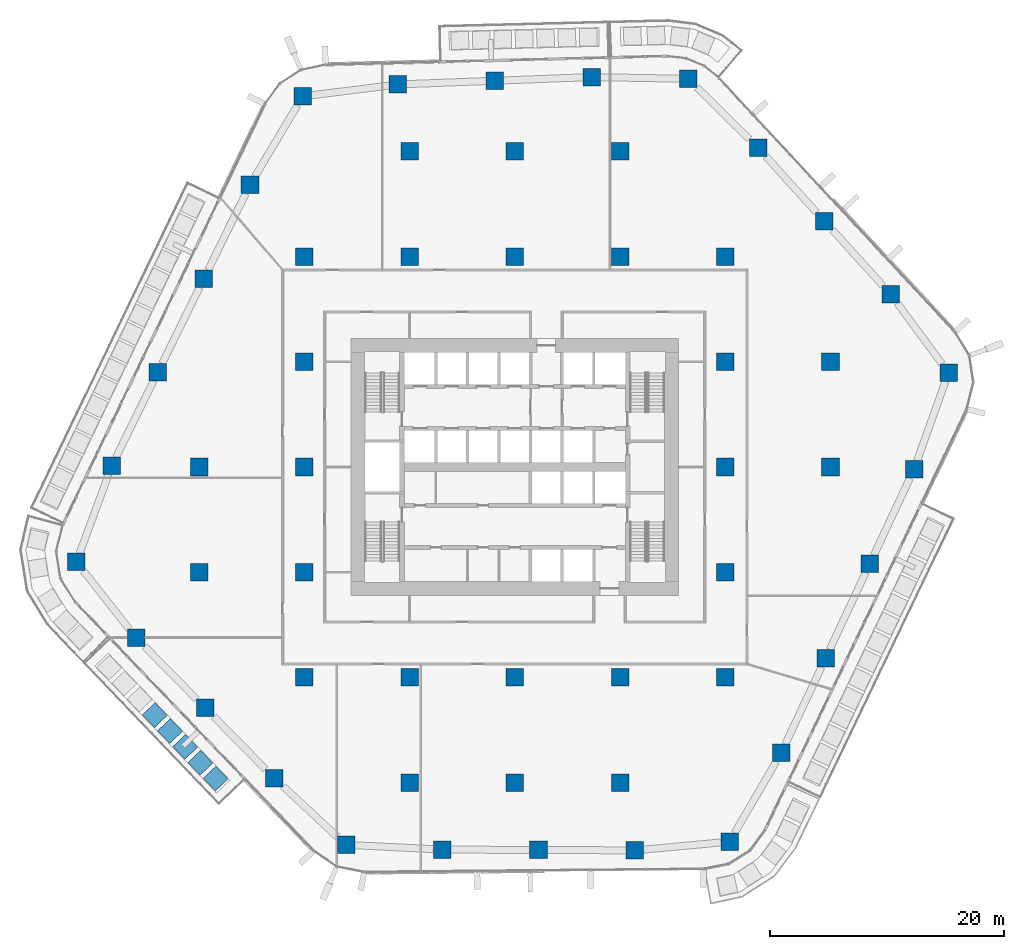
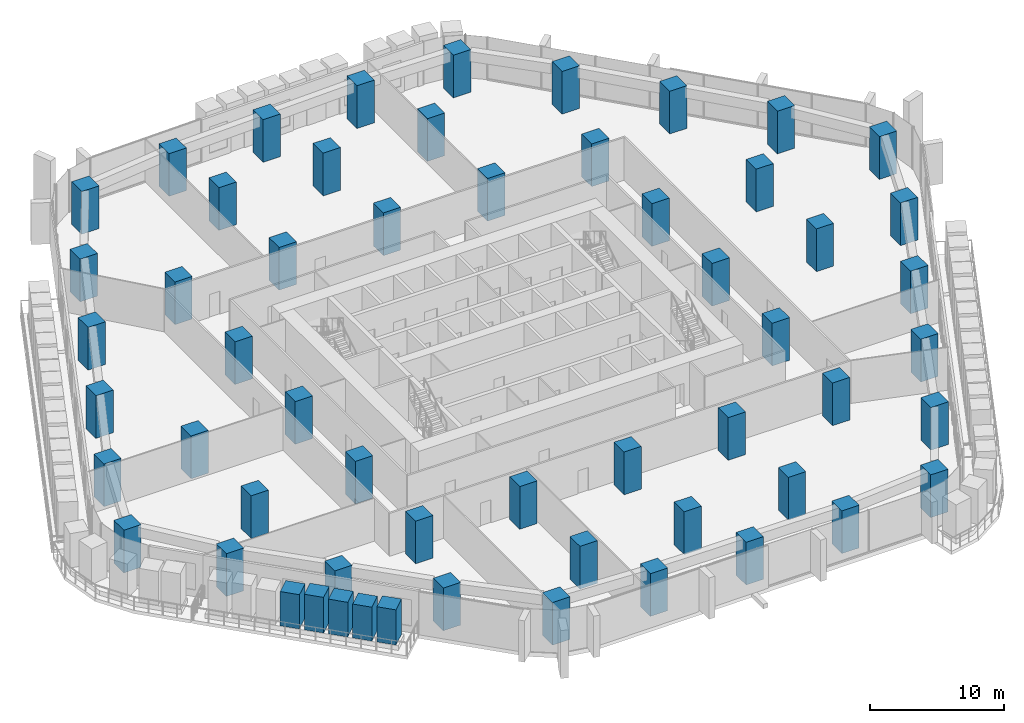
# One storey, part 1 of 23: 52 columns, 5 members.
"""IFC4 building model written with IfcOpenShell, lengths in metres."""

from ifc_helpers import new_model, si_unit, direction, frame, origin, origin_2d, place, context, subcontext, project, spatial, rectangle, extrude, material, material_profile, profile_set, type_object, element, save


model = new_model("IFC4")

# Units and contexts
model_context = context("Model", 3, precision=1e-05, world=origin(), true_north=direction((0.0, 1.0)))
body_context = subcontext(model_context, "Body", "Model", "MODEL_VIEW")
ifc_project = project(units=[si_unit("LENGTHUNIT", "METRE"), si_unit("AREAUNIT", "SQUARE_METRE"), si_unit("VOLUMEUNIT", "CUBIC_METRE"), si_unit("PLANEANGLEUNIT", "RADIAN"), si_unit("MASSUNIT", "GRAM", prefix="KILO")], contexts=[model_context])

# Site, building, storey
site_placement = place(None, origin())
site = spatial("IfcSite", under=ifc_project, at=site_placement, CompositionType="ELEMENT")
building_placement = place(site_placement, origin())
building = spatial("IfcBuilding", under=site, at=building_placement, Name="Dongbaek Canopy Tower", CompositionType="ELEMENT")
storey_placement = place(building_placement, frame((0.0, 0.0, 84.699951171875)))
storey = spatial("IfcBuildingStorey", under=building, at=storey_placement, Name="L17", CompositionType="ELEMENT", Elevation=84.699951171875)

# Columns
ifc_material_1 = material(Name="Concrete C80", Category="concrete")
ifc_material_profile_1 = material_profile(ifc_material_1, rectangle(XDim=1.5, YDim=1.5, at=origin_2d()), Name="RC COLUMN 1500x1500 C80")
ifc_profile_set_1 = profile_set([ifc_material_profile_1], Name="Concrete C80")
column_type = type_object("IfcColumnType", Name="RC COLUMN 1500x1500 C80", PredefinedType="COLUMN", material=ifc_profile_set_1)
for number, where, z_axis, x_axis, name in (
    (1, (18.367919921875, -32.04296875, 0.0), (0.0, 0.0, 1.0), (1.0, 0.0, 0.0), "COL:CZ1-01:L17"),
    (2, (10.277099609375, -32.7900390625, 0.0), (0.0, 0.0, 1.0), (1.0, 0.0, 0.0), "COL:CZ1-02:L17"),
    (3, (2.027099609375, -32.7529296875, 0.0), (0.0, 0.0, 1.0), (1.0, 0.0, 0.0), "COL:CZ1-03:L17"),
    (4, (-6.221923828125, -32.717041015625, 0.0), (0.0, 0.0, 1.0), (1.0, 0.0, 0.0), "COL:CZ1-04:L17"),
    (5, (-14.43408203125, -32.31298828125, 0.0), (0.0, 0.0, 1.0), (1.0, 0.0, 0.0), "COL:CZ1-05:L17"),
    (6, (-20.573974609375, -26.60205078125, 0.0), (0.0, 0.0, 1.0), (1.0, 0.0, 0.0), "COL:CZ1-06:L17"),
    (7, (-26.47802734375, -20.60791015625, 0.0), (0.0, 0.0, 1.0), (1.0, 0.0, 0.0), "COL:CZ1-07:L17"),
    (8, (-32.382080078125, -14.613037109375, 0.0), (0.0, 0.0, 1.0), (1.0, 0.0, 0.0), "COL:CZ1-08:L17"),
    (9, (-37.489013671875, -8.123046875, 0.0), (0.0, 0.0, 1.0), (1.0, 0.0, 0.0), "COL:CZ1-09:L17"),
    (10, (-34.462890625, 0.10302734375, 0.0), (0.0, 0.0, 1.0), (1.0, 0.0, 0.0), "COL:CZ1-10:L17"),
    (11, (-30.52490234375, 8.111083984375, 0.0), (0.0, 0.0, 1.0), (1.0, 0.0, 0.0), "COL:CZ1-11:L17"),
    (12, (-26.5859375, 16.117919921875, 0.0), (0.0, 0.0, 1.0), (1.0, 0.0, 0.0), "COL:CZ1-12:L17"),
    (13, (-22.64794921875, 24.125, 0.0), (0.0, 0.0, 1.0), (1.0, 0.0, 0.0), "COL:CZ1-13:L17"),
    (14, (-18.138916015625, 31.698974609375, 0.0), (0.0, 0.0, 1.0), (1.0, 0.0, 0.0), "COL:CZ1-14:L17"),
    (15, (-10.006103515625, 32.714111328125, 0.0), (0.0, 0.0, 1.0), (1.0, 0.0, 0.0), "COL:CZ1-15:L17"),
    (16, (-1.7080078125, 33.031982421875, 0.0), (0.0, 0.0, 1.0), (1.0, 0.0, 0.0), "COL:CZ1-16:L17"),
    (17, (6.589111328125, 33.34912109375, 0.0), (0.0, 0.0, 1.0), (1.0, 0.0, 0.0), "COL:CZ1-17:L17"),
    (18, (14.830078125, 33.194091796875, 0.0), (0.0, 0.0, 1.0), (1.0, 0.0, 0.0), "COL:CZ1-18:L17"),
    (19, (20.804931640625, 27.297119140625, 0.0), (0.0, 0.0, 1.0), (1.0, 0.0, 0.0), "COL:CZ1-19:L17"),
    (20, (26.48193359375, 21.029052734375, 0.0), (0.0, 0.0, 1.0), (1.0, 0.0, 0.0), "COL:CZ1-20:L17"),
    (21, (32.157958984375, 14.760986328125, 0.0), (0.0, 0.0, 1.0), (1.0, 0.0, 0.0), "COL:CZ1-21:L17"),
    (22, (37.097900390625, 8.06591796875, 0.0), (0.0, 0.0, 1.0), (1.0, 0.0, 0.0), "COL:CZ1-22:L17"),
    (23, (34.14306640625, -0.205078125, 0.0), (0.0, 0.0, 1.0), (1.0, 0.0, 0.0), "COL:CZ1-23:L17"),
    (24, (30.360107421875, -8.283935546875, 0.0), (0.0, 0.0, 1.0), (1.0, 0.0, 0.0), "COL:CZ1-24:L17"),
    (25, (26.575927734375, -16.364013671875, 0.0), (0.0, 0.0, 1.0), (1.0, 0.0, 0.0), "COL:CZ1-25:L17"),
    (26, (22.7919921875, -24.443115234375, 0.0), (0.0, 0.0, 1.0), (1.0, 0.0, 0.0), "COL:CZ1-26:L17"),
    (27, (-27.0, -9.0, 0.0), (0.0, 0.0, 1.0), (1.0, 0.0, 0.0), "COL:CIZ1-01:L17"),
    (28, (-27.0, 0.0, 0.0), (0.0, 0.0, 1.0), (1.0, 0.0, 0.0), "COL:CIZ1-02:L17"),
    (29, (-18.0, -18.0, 0.0), (0.0, 0.0, 1.0), (1.0, 0.0, 0.0), "COL:CIZ1-03:L17"),
    (30, (-18.0, -9.0, 0.0), (0.0, 0.0, 1.0), (1.0, 0.0, 0.0), "COL:CIZ1-04:L17"),
    (31, (-18.0, 0.0, 0.0), (0.0, 0.0, 1.0), (1.0, 0.0, 0.0), "COL:CIZ1-05:L17"),
    (32, (-18.0, 9.0, 0.0), (0.0, 0.0, 1.0), (1.0, 0.0, 0.0), "COL:CIZ1-06:L17"),
    (33, (-18.0, 18.0, 0.0), (0.0, 0.0, 1.0), (1.0, 0.0, 0.0), "COL:CIZ1-07:L17"),
    (34, (-9.0, -27.0, 0.0), (0.0, 0.0, 1.0), (1.0, 0.0, 0.0), "COL:CIZ1-08:L17"),
    (35, (-9.0, -18.0, 0.0), (0.0, 0.0, 1.0), (1.0, 0.0, 0.0), "COL:CIZ1-09:L17"),
    (36, (-9.0, 18.0, 0.0), (0.0, 0.0, 1.0), (1.0, 0.0, 0.0), "COL:CIZ1-10:L17"),
    (37, (-9.0, 27.0, 0.0), (0.0, 0.0, 1.0), (1.0, 0.0, 0.0), "COL:CIZ1-11:L17"),
    (38, (0.0, -27.0, 0.0), (0.0, 0.0, 1.0), (1.0, 0.0, 0.0), "COL:CIZ1-12:L17"),
    (39, (0.0, -18.0, 0.0), (0.0, 0.0, 1.0), (1.0, 0.0, 0.0), "COL:CIZ1-13:L17"),
    (40, (0.0, 18.0, 0.0), (0.0, 0.0, 1.0), (1.0, 0.0, 0.0), "COL:CIZ1-14:L17"),
    (41, (0.0, 27.0, 0.0), (0.0, 0.0, 1.0), (1.0, 0.0, 0.0), "COL:CIZ1-15:L17"),
    (42, (9.0, -27.0, 0.0), (0.0, 0.0, 1.0), (1.0, 0.0, 0.0), "COL:CIZ1-16:L17"),
    (43, (9.0, -18.0, 0.0), (0.0, 0.0, 1.0), (1.0, 0.0, 0.0), "COL:CIZ1-17:L17"),
    (44, (9.0, 18.0, 0.0), (0.0, 0.0, 1.0), (1.0, 0.0, 0.0), "COL:CIZ1-18:L17"),
    (45, (9.0, 27.0, 0.0), (0.0, 0.0, 1.0), (1.0, 0.0, 0.0), "COL:CIZ1-19:L17"),
    (46, (18.0, -18.0, 0.0), (0.0, 0.0, 1.0), (1.0, 0.0, 0.0), "COL:CIZ1-20:L17"),
    (47, (18.0, -9.0, 0.0), (0.0, 0.0, 1.0), (1.0, 0.0, 0.0), "COL:CIZ1-21:L17"),
    (48, (18.0, 0.0, 0.0), (0.0, 0.0, 1.0), (1.0, 0.0, 0.0), "COL:CIZ1-22:L17"),
    (49, (18.0, 9.0, 0.0), (0.0, 0.0, 1.0), (1.0, 0.0, 0.0), "COL:CIZ1-23:L17"),
    (50, (18.0, 18.0, 0.0), (0.0, 0.0, 1.0), (1.0, 0.0, 0.0), "COL:CIZ1-24:L17"),
    (51, (27.0, 0.0, 0.0), (0.0, 0.0, 1.0), (1.0, 0.0, 0.0), "COL:CIZ1-25:L17"),
    (52, (27.0, 9.0, 0.0), (0.0, 0.0, 1.0), (1.0, 0.0, 0.0), "COL:CIZ1-26:L17"),
):
    element("IfcColumn", number, at=place(storey_placement, frame(where, z_axis=z_axis, x_axis=x_axis)), inside=storey, type_object=column_type, Name=name, PredefinedType="COLUMN", context=body_context, shape_type="SweptSolid", body=[
        extrude(rectangle(XDim=1.5, YDim=1.5, at=origin_2d()), origin(), (0.0, 0.0, 1.0), 3.900146484375),
    ])

# Members
ifc_material_2 = material(Name="Concrete C40/50 planter mass with planting", Category="concrete")
ifc_material_profile_2 = material_profile(ifc_material_2, rectangle(XDim=1.5, YDim=1.5, at=origin_2d()), Name="Terrace PLANTER shrub mass 1500 x 1500")
ifc_profile_set_2 = profile_set([ifc_material_profile_2], Name="Concrete C40/50 planter mass with planting")
member_type = type_object("IfcMemberType", Name="Terrace PLANTER shrub mass 1500 x 1500", PredefinedType="USERDEFINED", material=ifc_profile_set_2)
member_1_placement = place(storey_placement, frame((-30.789794921875, -21.22412109375, 0.420166015625), z_axis=(0.0, 0.0, 1.0), x_axis=(-0.721910788047, -0.691986137217, 0.0)))
element("IfcMember", 53, at=member_1_placement, inside=storey, type_object=member_type, Name="Planter shrubs L17 3.4", ObjectType="PLANTER", PredefinedType="USERDEFINED", context=body_context, shape_type="SweptSolid", body=[
    extrude(rectangle(XDim=1.5, YDim=1.5, at=origin_2d()), origin(), (0.0, 0.0, 1.0), 3.1298828125),
])
member_2_placement = place(storey_placement, frame((-29.4892578125, -22.5810546875, 0.420166015625), z_axis=(0.0, 0.0, 1.0), x_axis=(-0.721910788047, -0.691986137217, 0.0)))
element("IfcMember", 54, at=member_2_placement, inside=storey, type_object=member_type, Name="Planter shrubs L17 3.5", ObjectType="PLANTER", PredefinedType="USERDEFINED", context=body_context, shape_type="SweptSolid", body=[
    extrude(rectangle(XDim=1.5, YDim=1.5, at=origin_2d()), origin(), (0.0, 0.0, 1.0), 3.25),
])
member_3_placement = place(storey_placement, frame((-28.188720703125, -23.937744140625, 0.420166015625), z_axis=(0.0, 0.0, 1.0), x_axis=(-0.721910788047, -0.691986137217, 0.0)))
element("IfcMember", 55, at=member_3_placement, inside=storey, type_object=member_type, Name="Planter shrubs L17 3.6", ObjectType="PLANTER", PredefinedType="USERDEFINED", context=body_context, shape_type="SweptSolid", body=[
    extrude(rectangle(XDim=1.5, YDim=1.5, at=origin_2d()), origin(), (0.0, 0.0, 1.0), 3.169921875),
])
member_4_placement = place(storey_placement, frame((-26.88818359375, -25.294677734375, 0.420166015625), z_axis=(0.0, 0.0, 1.0), x_axis=(-0.721910788047, -0.691986137217, 0.0)))
element("IfcMember", 56, at=member_4_placement, inside=storey, type_object=member_type, Name="Planter shrubs L17 3.7", ObjectType="PLANTER", PredefinedType="USERDEFINED", context=body_context, shape_type="SweptSolid", body=[
    extrude(rectangle(XDim=1.5, YDim=1.5, at=origin_2d()), origin(), (0.0, 0.0, 1.0), 3.08984375),
])
member_5_placement = place(storey_placement, frame((-25.587646484375, -26.6513671875, 0.420166015625), z_axis=(0.0, 0.0, 1.0), x_axis=(-0.721910788047, -0.691986137217, 0.0)))
element("IfcMember", 57, at=member_5_placement, inside=storey, type_object=member_type, Name="Planter shrubs L17 3.8", ObjectType="PLANTER", PredefinedType="USERDEFINED", context=body_context, shape_type="SweptSolid", body=[
    extrude(rectangle(XDim=1.5, YDim=1.5, at=origin_2d()), origin(), (0.0, 0.0, 1.0), 3.2099609375),
])

save(model, "model.ifc")
